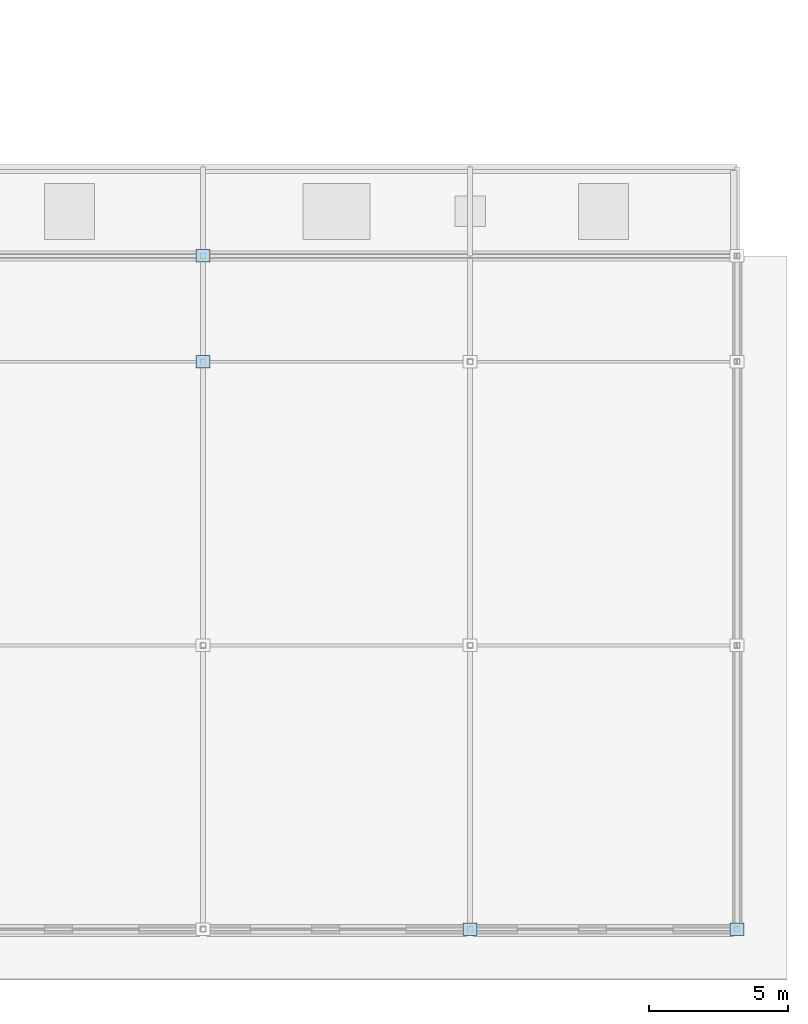
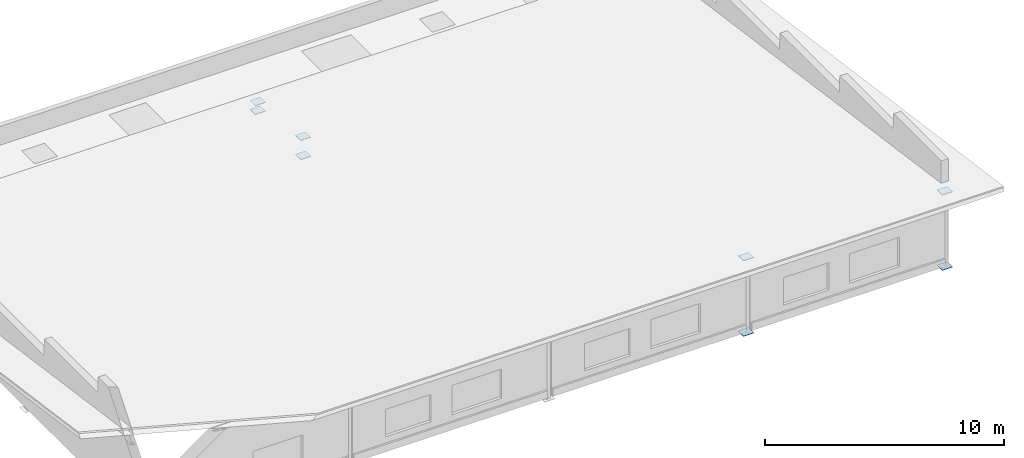
# One storey, part 55 of 70: 8 plates.
"""IFC4 building model written with IfcOpenShell, lengths in metres."""

from ifc_helpers import new_model, si_unit, direction, frame, origin, origin_2d, place, context, subcontext, project, spatial, rectangle, extrude, material, layer, layer_set, type_object, element, save


model = new_model("IFC4")

# Units and contexts
model_context = context("Model", 3, precision=1e-05, world=origin(), true_north=direction((0.0, 1.0)))
body_context = subcontext(model_context, "Body", "Model", "MODEL_VIEW")
ifc_project = project(units=[si_unit("LENGTHUNIT", "METRE"), si_unit("AREAUNIT", "SQUARE_METRE"), si_unit("VOLUMEUNIT", "CUBIC_METRE"), si_unit("PLANEANGLEUNIT", "RADIAN"), si_unit("MASSUNIT", "GRAM", prefix="KILO")], contexts=[model_context])

# Site, building, storey
site_placement = place(None, origin())
site = spatial("IfcSite", under=ifc_project, at=site_placement, CompositionType="ELEMENT")
building_placement = place(site_placement, origin())
building = spatial("IfcBuilding", under=site, at=building_placement, Name="Vondelvale Polytechnic", CompositionType="ELEMENT")
storey_placement = place(building_placement, frame((0.0, 0.0, 22.199951171875)))
storey = spatial("IfcBuildingStorey", under=building, at=storey_placement, Name="L05", CompositionType="ELEMENT", Elevation=22.199951171875)

# Plates
ifc_material = material(Name="Steel Grade 350 (fy = 340 MPa)", Category="steel")
ifc_layer = layer(ifc_material, 0.01611328125)
ifc_layer_set = layer_set([ifc_layer], Name="PLATE-GUSSET-16")
plate_type = type_object("IfcPlateType", Name="PLATE-GUSSET-16", PredefinedType="USERDEFINED", material=ifc_layer_set)
for number, where, z_axis, x_axis, name in (
    (1, (153.60009765625, 20.39990234375, -0.18798828125), (0.0, 0.0, 1.0), (1.0, 0.0, 0.0), "Lecture roof post plate"),
    (2, (153.60009765625, 20.39990234375, 0.787353515625), (0.0, 0.0, 1.0), (1.0, 0.0, 0.0), "Lecture roof post plate"),
    (3, (153.60009765625, 24.199951171875, -0.18798828125), (0.0, 0.0, 1.0), (1.0, 0.0, 0.0), "Lecture roof post plate"),
    (4, (153.60009765625, 24.199951171875, 0.25390625), (0.0, 0.0, 1.0), (1.0, 0.0, 0.0), "Lecture roof post plate"),
    (5, (163.199951171875, 0.0, -0.18798828125), (0.0, 0.0, 1.0), (1.0, 0.0, 0.0), "Lecture roof post plate"),
    (6, (163.199951171875, 0.0, 3.651123046875), (0.0, 0.0, 1.0), (1.0, 0.0, 0.0), "Lecture roof post plate"),
    (7, (172.800048828125, 0.0, -0.18798828125), (0.0, 0.0, 1.0), (1.0, 0.0, 0.0), "Lecture roof post plate"),
    (8, (172.800048828125, 0.0, 3.651123046875), (0.0, 0.0, 1.0), (1.0, 0.0, 0.0), "Lecture roof post plate"),
):
    element("IfcPlate", number, at=place(storey_placement, frame(where, z_axis=z_axis, x_axis=x_axis)), inside=storey, type_object=plate_type, Name=name, ObjectType="GUSSET_PLATE", PredefinedType="USERDEFINED", context=body_context, shape_type="SweptSolid", body=[
        extrude(rectangle(XDim=0.5, YDim=0.449951171875, at=origin_2d()), origin(), (0.0, 0.0, 1.0), 0.01611328125),
    ])

save(model, "model.ifc")
